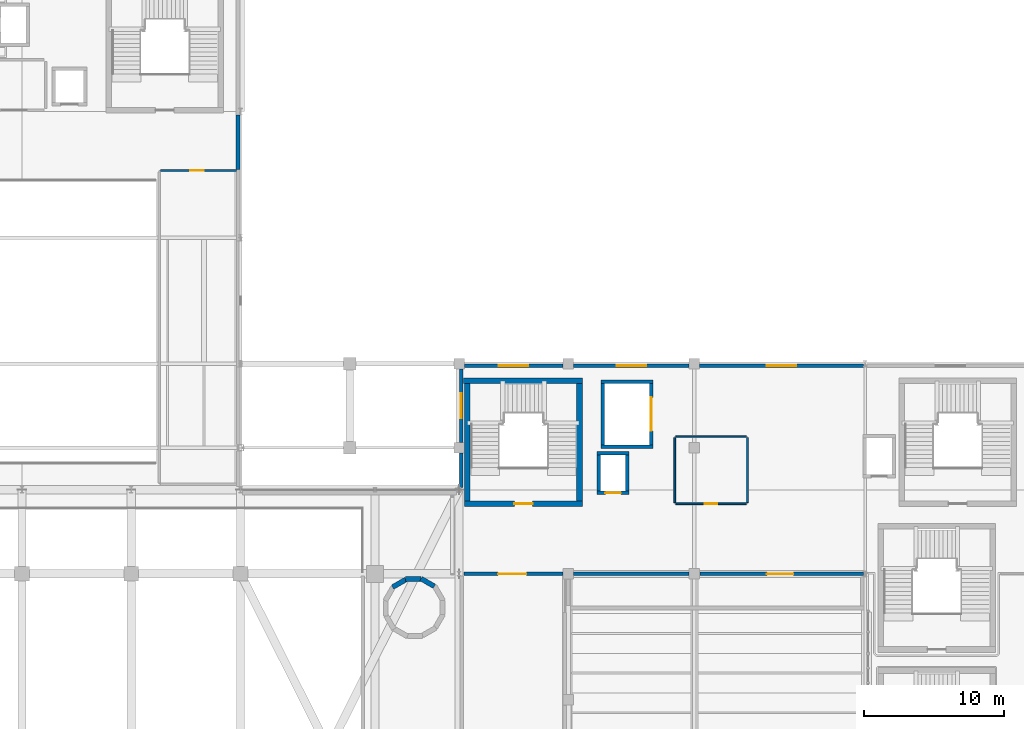
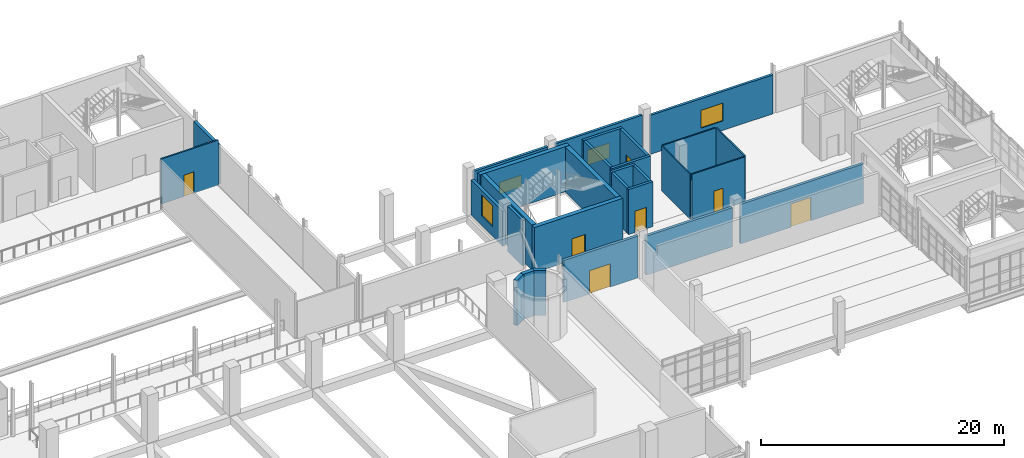
# One storey, part 89 of 100: 29 walls, 7 doors, 4 windows, 11 openings.
"""IFC4 building model written with IfcOpenShell, lengths in metres."""

from ifc_helpers import new_model, si_unit, derived_unit, direction, frame, frame_2d, origin, place, context, subcontext, project, spatial, rectangle, extrude, material, layer, layer_set, type_object, element, fill, save


model = new_model("IFC4")

# Units and contexts
model_context = context("Model", 3, precision=1e-05, world=origin(), true_north=direction((0.0, 1.0)))
body_context = subcontext(model_context, "Body", "Model", "MODEL_VIEW")
ifc_project = project(units=[si_unit("LENGTHUNIT", "METRE"), si_unit("AREAUNIT", "SQUARE_METRE"), si_unit("VOLUMEUNIT", "CUBIC_METRE"), si_unit("PLANEANGLEUNIT", "RADIAN"), si_unit("MASSUNIT", "GRAM", prefix="KILO"), derived_unit("THERMALTRANSMITTANCEUNIT", [(si_unit("POWERUNIT", "WATT"), 1), (si_unit("LENGTHUNIT", "METRE"), -2), (si_unit("THERMODYNAMICTEMPERATUREUNIT", "KELVIN"), -1)])], contexts=[model_context])

# Site, building, storey
site_placement = place(None, origin())
site = spatial("IfcSite", under=ifc_project, at=site_placement, CompositionType="ELEMENT")
building_placement = place(site_placement, origin())
building = spatial("IfcBuilding", under=site, at=building_placement, Name="Nallur Shell Playhouse", CompositionType="ELEMENT")
storey_placement = place(building_placement, frame((0.0, 0.0, 10.199951171875)))
storey = spatial("IfcBuildingStorey", under=building, at=storey_placement, Name="L03", CompositionType="ELEMENT", Elevation=10.199951171875)

# Wall, opening, door
ifc_material_1 = material(Name="Concrete M45", Category="concrete")
ifc_layer_1 = layer(ifc_material_1, 0.39990234375)
ifc_layer_set_1 = layer_set([ifc_layer_1], Name="Concrete M45")
wall_type_1 = type_object("IfcWallType", Name="WL-CORE-400", PredefinedType="SHEAR", material=ifc_layer_set_1)
wall_1_placement = place(storey_placement, frame((119.0, 46.0, 0.0), z_axis=(0.0, 0.0, 1.0), x_axis=(1.0, 0.0, 0.0)))
wall_1 = element("IfcWall", 1, at=wall_1_placement, inside=storey, type_object=wall_type_1, Name="Joint Core JC-2 shear wall S (L03)", PredefinedType="SHEAR", context=body_context, shape_type="SweptSolid", body=[
    extrude(rectangle(XDim=8.39990234375, YDim=0.39990234375, at=frame_2d((4.199951171875, 0.0))), origin(), (0.0, 0.0, 1.0), 4.5400390625),
])
opening_1_placement = place(wall_1_placement, frame((3.550048828125, 0.0, 0.0)))
opening_1 = element("IfcOpeningElement", 2, at=opening_1_placement, cuts=wall_1, Name="Opening FD-ST2", PredefinedType="OPENING", context=body_context, shape_type="SweptSolid", body=[
    extrude(rectangle(XDim=1.300048828125, YDim=2.14990234375, at=frame_2d((0.64990234375, 1.074951171875))), frame((0.0, 0.2099609375, 0.0), z_axis=(0.0, -1.0, 0.0), x_axis=(1.0, 0.0, 0.0)), (0.0, 0.0, 1.0), 0.419921875),
])
ifc_material_2 = material(Name="Galvanised Steel Fire-Rated Stair Door", Category="steel")
door_type_1 = type_object("IfcDoorType", Name="DR-INT-STAIR-R", OperationType="SINGLE_SWING_RIGHT", PredefinedType="DOOR", material=ifc_material_2)
door_1_placement = place(opening_1_placement, origin())
door_1 = element("IfcDoor", 3, at=door_1_placement, inside=storey, type_object=door_type_1, Name="Exit stair ST-02 fire door (L03)", OperationType="SINGLE_SWING_RIGHT", OverallHeight=2.14990234375, OverallWidth=1.300048828125, PredefinedType="DOOR", context=body_context, shape_type="SweptSolid", body=[
    extrude(rectangle(XDim=1.300048828125, YDim=2.14990234375, at=frame_2d((0.64990234375, 1.074951171875))), frame((0.0, 0.02490234375, 0.0), z_axis=(0.0, -1.0, 0.0), x_axis=(1.0, 0.0, 0.0)), (0.0, 0.0, 1.0), 0.050048828125),
])
fill(opening_1, door_1)

# Walls
wall_2_placement = place(storey_placement, frame((127.39990234375, 54.800048828125, 0.0), z_axis=(0.0, 0.0, 1.0), x_axis=(-1.0, 0.0, 0.0)))
element("IfcWall", 4, at=wall_2_placement, inside=storey, type_object=wall_type_1, Name="Joint Core JC-2 shear wall N (L03)", PredefinedType="SHEAR", context=body_context, shape_type="SweptSolid", body=[
    extrude(rectangle(XDim=8.495849609375, YDim=0.39990234375, at=frame_2d((4.248046875, 0.0))), origin(), (0.0, 0.0, 1.0), 4.5400390625),
])
for number, where, z_axis, x_axis, name in (
    (5, (127.199951171875, 46.2099609375, 0.0), (0.0, 0.0, 1.0), (0.0, 1.0, 0.0), "Joint Core JC-2 shear wall E (L03)"),
    (6, (119.199951171875, 54.590087890625, 0.0), (0.0, 0.0, 1.0), (0.0, -1.0, 0.0), "Joint Core JC-2 shear wall W (L03)"),
):
    element("IfcWall", number, at=place(storey_placement, frame(where, z_axis=z_axis, x_axis=x_axis)), inside=storey, type_object=wall_type_1, Name=name, PredefinedType="SHEAR", context=body_context, shape_type="SweptSolid", body=[
        extrude(rectangle(XDim=8.380126953125, YDim=0.39990234375, at=frame_2d((4.18994140625, 0.0))), origin(), (0.0, 0.0, 1.0), 4.5400390625),
    ])
for number, where, z_axis, x_axis, name in (
    (7, (116.8330078125, 40.114990234375, 0.0), (0.0, 0.0, 1.0), (-0.866062834654, 0.499935162227, 0.0), "Metabolist service drum DR-2 facet 2 (L03)"),
    (8, (115.883544921875, 40.62841796875, 0.0), (0.0, 0.0, 1.0), (-1.0, 0.0, 0.0), "Metabolist service drum DR-2 facet 3 (L03)"),
    (9, (114.804443359375, 40.598388671875, 0.0), (0.0, 0.0, 1.0), (-0.866062834654, -0.499935162227, 0.0), "Metabolist service drum DR-2 facet 4 (L03)"),
):
    element("IfcWall", number, at=place(storey_placement, frame(where, z_axis=z_axis, x_axis=x_axis)), inside=storey, type_object=wall_type_1, Name=name, PredefinedType="SHEAR", context=body_context, shape_type="SweptSolid", body=[
        extrude(rectangle(XDim=1.093017578125, YDim=0.35009765625, at=frame_2d((0.54638671875, 0.0))), origin(), (0.0, 0.0, 1.0), 4.5400390625),
    ])

# Wall, opening, window
ifc_material_3 = material(Name="Precast concrete M40", Category="concrete")
ifc_layer_2 = layer(ifc_material_3, 0.239990234375)
ifc_layer_set_2 = layer_set([ifc_layer_2], Name="Precast concrete M40")
wall_type_2 = type_object("IfcWallType", Name="WL-EXT-CLAD240", PredefinedType="ELEMENTEDWALL", material=ifc_layer_set_2)
wall_3_placement = place(storey_placement, frame((118.98291015625, 55.860107421875, 0.0), z_axis=(0.0, 0.0, 1.0), x_axis=(1.0, 0.0, 0.0)))
wall_3 = element("IfcWall", 10, at=wall_3_placement, inside=storey, type_object=wall_type_2, Name="L03 exterior wall EW-L03-147", PredefinedType="ELEMENTEDWALL", context=body_context, shape_type="SweptSolid", body=[
    extrude(rectangle(XDim=7.0341796875, YDim=0.239990234375, at=frame_2d((3.51708984375, 0.0))), origin(), (0.0, 0.0, 1.0), 4.175048828125),
])
opening_2_placement = place(wall_3_placement, frame((2.467041015625, 0.0, 0.949951171875)))
opening_2 = element("IfcOpeningElement", 11, at=opening_2_placement, cuts=wall_3, Name="Opening WN-25", PredefinedType="OPENING", context=body_context, shape_type="SweptSolid", body=[
    extrude(rectangle(XDim=2.10009765625, YDim=1.199951171875, at=frame_2d((1.050048828125, 0.60009765625))), frame((0.0, 0.1298828125, 0.0), z_axis=(0.0, -1.0, 0.0), x_axis=(1.0, 0.0, 0.0)), (0.0, 0.0, 1.0), 0.260009765625),
])
ifc_material_4 = material(Name="Thermally Broken Aluminium Acoustic Double-Glazed Window", Category="aluminium")
window_type_1 = type_object("IfcWindowType", Name="WN-TYPE-25", PartitioningType="SINGLE_PANEL", PredefinedType="LIGHTDOME", material=ifc_material_4)
window_1_placement = place(opening_2_placement, origin())
window_1 = element("IfcWindow", 12, at=window_1_placement, inside=storey, type_object=window_type_1, Name="L03 facade module window 057", OverallHeight=1.199951171875, OverallWidth=2.10009765625, PartitioningType="SINGLE_PANEL", PredefinedType="LIGHTDOME", context=body_context, shape_type="SweptSolid", body=[
    extrude(rectangle(XDim=2.10009765625, YDim=1.199951171875, at=frame_2d((1.050048828125, 0.60009765625))), frame((0.0, 0.030029296875, 0.0), z_axis=(0.0, -1.0, 0.0), x_axis=(1.0, 0.0, 0.0)), (0.0, 0.0, 1.0), 0.06005859375),
])
fill(opening_2, window_1)

wall_4_placement = place(storey_placement, frame((126.782958984375, 55.860107421875, 0.0), z_axis=(0.0, 0.0, 1.0), x_axis=(1.0, 0.0, 0.0)))
wall_4 = element("IfcWall", 13, at=wall_4_placement, inside=storey, type_object=wall_type_2, Name="L03 exterior wall EW-L03-148", PredefinedType="ELEMENTEDWALL", context=body_context, shape_type="SweptSolid", body=[
    extrude(rectangle(XDim=8.234130859375, YDim=0.239990234375, at=frame_2d((4.1171875, 0.0))), origin(), (0.0, 0.0, 1.0), 4.22509765625),
])
opening_3_placement = place(wall_4_placement, frame((3.06689453125, 0.0, 0.949951171875)))
opening_3 = element("IfcOpeningElement", 14, at=opening_3_placement, cuts=wall_4, Name="Opening WN-26", PredefinedType="OPENING", context=body_context, shape_type="SweptSolid", body=[
    extrude(rectangle(XDim=2.10009765625, YDim=1.5, at=frame_2d((1.050048828125, 0.75))), frame((0.0, 0.1298828125, 0.0), z_axis=(0.0, -1.0, 0.0), x_axis=(1.0, 0.0, 0.0)), (0.0, 0.0, 1.0), 0.260009765625),
])
window_type_2 = type_object("IfcWindowType", Name="WN-TYPE-26", PartitioningType="SINGLE_PANEL", PredefinedType="LIGHTDOME", material=ifc_material_4)
window_2_placement = place(opening_3_placement, origin())
window_2 = element("IfcWindow", 15, at=window_2_placement, inside=storey, type_object=window_type_2, Name="L03 facade module window 058", OverallHeight=1.5, OverallWidth=2.10009765625, PartitioningType="SINGLE_PANEL", PredefinedType="LIGHTDOME", context=body_context, shape_type="SweptSolid", body=[
    extrude(rectangle(XDim=2.10009765625, YDim=1.5, at=frame_2d((1.050048828125, 0.75))), frame((0.0, 0.030029296875, 0.0), z_axis=(0.0, -1.0, 0.0), x_axis=(1.0, 0.0, 0.0)), (0.0, 0.0, 1.0), 0.06005859375),
])
fill(opening_3, window_2)

wall_5_placement = place(storey_placement, frame((135.782958984375, 55.860107421875, 0.0), z_axis=(0.0, 0.0, 1.0), x_axis=(1.0, 0.0, 0.0)))
wall_5 = element("IfcWall", 16, at=wall_5_placement, inside=storey, type_object=wall_type_2, Name="L03 exterior wall EW-L03-149", PredefinedType="ELEMENTEDWALL", context=body_context, shape_type="SweptSolid", body=[
    extrude(rectangle(XDim=11.68408203125, YDim=0.239990234375, at=frame_2d((5.842041015625, 0.0))), origin(), (0.0, 0.0, 1.0), 3.925048828125),
])
opening_4_placement = place(wall_5_placement, frame((4.7919921875, 0.0, 0.949951171875)))
opening_4 = element("IfcOpeningElement", 17, at=opening_4_placement, cuts=wall_5, Name="Opening WN-27", PredefinedType="OPENING", context=body_context, shape_type="SweptSolid", body=[
    extrude(rectangle(XDim=2.10009765625, YDim=1.800048828125, at=frame_2d((1.050048828125, 0.89990234375))), frame((0.0, 0.1298828125, 0.0), z_axis=(0.0, -1.0, 0.0), x_axis=(1.0, 0.0, 0.0)), (0.0, 0.0, 1.0), 0.260009765625),
])
window_type_3 = type_object("IfcWindowType", Name="WN-TYPE-27", PartitioningType="SINGLE_PANEL", PredefinedType="LIGHTDOME", material=ifc_material_4)
window_3_placement = place(opening_4_placement, origin())
window_3 = element("IfcWindow", 18, at=window_3_placement, inside=storey, type_object=window_type_3, Name="L03 facade module window 059", OverallHeight=1.800048828125, OverallWidth=2.10009765625, PartitioningType="SINGLE_PANEL", PredefinedType="LIGHTDOME", context=body_context, shape_type="SweptSolid", body=[
    extrude(rectangle(XDim=2.10009765625, YDim=1.800048828125, at=frame_2d((1.050048828125, 0.89990234375))), frame((0.0, 0.030029296875, 0.0), z_axis=(0.0, -1.0, 0.0), x_axis=(1.0, 0.0, 0.0)), (0.0, 0.0, 1.0), 0.06005859375),
])
fill(opening_4, window_3)

# Wall
ifc_material_5 = material(Name="Concrete M30", Category="concrete")
ifc_layer_3 = layer(ifc_material_5, 0.280029296875)
ifc_layer_set_3 = layer_set([ifc_layer_3], Name="Concrete M30")
wall_type_3 = type_object("IfcWallType", Name="WL-EXT-INS280", PredefinedType="STANDARD", material=ifc_layer_set_3)
wall_6_placement = place(storey_placement, frame((118.760009765625, 47.14990234375, 0.0), z_axis=(0.0, 0.0, 1.0), x_axis=(0.0, 1.0, 0.0)))
element("IfcWall", 19, at=wall_6_placement, inside=storey, type_object=wall_type_3, Name="L03 exterior wall EW-L03-145", PredefinedType="STANDARD", context=body_context, shape_type="SweptSolid", body=[
    extrude(rectangle(XDim=2.467041015625, YDim=0.280029296875, at=frame_2d((1.2333984375, 0.0))), origin(), (0.0, 0.0, 1.0), 4.5400390625),
])

# Wall, opening, window
wall_7_placement = place(storey_placement, frame((118.760009765625, 50.383056640625, 0.0), z_axis=(0.0, 0.0, 1.0), x_axis=(0.0, 1.0, 0.0)))
wall_7 = element("IfcWall", 20, at=wall_7_placement, inside=storey, type_object=wall_type_3, Name="L03 exterior wall EW-L03-146", PredefinedType="STANDARD", context=body_context, shape_type="SweptSolid", body=[
    extrude(rectangle(XDim=5.23388671875, YDim=0.280029296875, at=frame_2d((2.616943359375, 0.0))), origin(), (0.0, 0.0, 1.0), 3.525146484375),
])
opening_5_placement = place(wall_7_placement, frame((1.717041015625, 0.0, 0.949951171875)))
opening_5 = element("IfcOpeningElement", 21, at=opening_5_placement, cuts=wall_7, Name="Opening WN-24", PredefinedType="OPENING", context=body_context, shape_type="SweptSolid", body=[
    extrude(rectangle(XDim=1.800048828125, YDim=2.10009765625, at=frame_2d((0.89990234375, 1.050048828125))), frame((0.0, 0.14990234375, 0.0), z_axis=(0.0, -1.0, 0.0), x_axis=(1.0, 0.0, 0.0)), (0.0, 0.0, 1.0), 0.300048828125),
])
window_type_4 = type_object("IfcWindowType", Name="WN-TYPE-24", PartitioningType="SINGLE_PANEL", PredefinedType="WINDOW", material=ifc_material_4)
window_4_placement = place(opening_5_placement, origin())
window_4 = element("IfcWindow", 22, at=window_4_placement, inside=storey, type_object=window_type_4, Name="L03 facade module window 056", OverallHeight=2.10009765625, OverallWidth=1.800048828125, PartitioningType="SINGLE_PANEL", PredefinedType="WINDOW", context=body_context, shape_type="SweptSolid", body=[
    extrude(rectangle(XDim=1.800048828125, YDim=2.10009765625, at=frame_2d((0.89990234375, 1.050048828125))), frame((0.0, 0.030029296875, 0.0), z_axis=(0.0, -1.0, 0.0), x_axis=(1.0, 0.0, 0.0)), (0.0, 0.0, 1.0), 0.06005859375),
])
fill(opening_5, window_4)

# Wall
ifc_material_6 = material(Name="Concrete M35", Category="concrete")
ifc_layer_4 = layer(ifc_material_6, 0.300048828125)
ifc_layer_set_4 = layer_set([ifc_layer_4], Name="Concrete M35")
wall_type_4 = type_object("IfcWallType", Name="WL-EXT-RC300", PredefinedType="STANDARD", material=ifc_layer_set_4)
wall_8_placement = place(storey_placement, frame((102.830078125, 73.76708984375, 0.0), z_axis=(0.0, 0.0, 1.0), x_axis=(0.0, -1.0, 0.0)))
element("IfcWall", 23, at=wall_8_placement, inside=storey, type_object=wall_type_4, Name="L03 exterior wall EW-L03-139", PredefinedType="STANDARD", context=body_context, shape_type="SweptSolid", body=[
    extrude(rectangle(XDim=3.903076171875, YDim=0.300048828125, at=frame_2d((1.95166015625, 0.0))), origin(), (0.0, 0.0, 1.0), 3.97509765625),
])

# Wall, opening, door
ifc_layer_5 = layer(ifc_material_5, 0.25)
ifc_layer_set_5 = layer_set([ifc_layer_5], Name="Concrete M30")
wall_type_5 = type_object("IfcWallType", Name="WL-PART-AC250", PredefinedType="PARTITIONING", material=ifc_layer_set_5)
wall_9_placement = place(storey_placement, frame((118.945068359375, 41.0, 0.0), z_axis=(0.0, 0.0, 1.0), x_axis=(1.0, 0.0, 0.0)))
wall_9 = element("IfcWall", 24, at=wall_9_placement, inside=storey, type_object=wall_type_5, Name="260-Seat Courtyard Studio Theatre Auditorium partition IW-L03-0210", PredefinedType="PARTITIONING", context=body_context, shape_type="SweptSolid", body=[
    extrude(rectangle(XDim=7.075927734375, YDim=0.25, at=frame_2d((3.5380859375, 0.0))), origin(), (0.0, 0.0, 1.0), 4.219970703125),
])
opening_6_placement = place(wall_9_placement, frame((2.455078125, 0.0, 0.0)))
opening_6 = element("IfcOpeningElement", 25, at=opening_6_placement, cuts=wall_9, Name="Opening AD-01", PredefinedType="OPENING", context=body_context, shape_type="SweptSolid", body=[
    extrude(rectangle(XDim=2.0, YDim=2.35009765625, at=frame_2d((1.0, 1.175048828125))), frame((0.0, 0.135009765625, 0.0), z_axis=(0.0, -1.0, 0.0), x_axis=(1.0, 0.0, 0.0)), (0.0, 0.0, 1.0), 0.27001953125),
])
ifc_material_7 = material(Name="Acoustic Timber Sound-Lock Double Door", Category="wood")
door_type_2 = type_object("IfcDoorType", Name="DR-INT-AUD-DBL", OperationType="DOUBLE_SWING_LEFT", PredefinedType="DOOR", material=ifc_material_7)
door_2_placement = place(opening_6_placement, origin())
door_2 = element("IfcDoor", 26, at=door_2_placement, inside=storey, type_object=door_type_2, Name="260-Seat Courtyard Studio Theatre Auditorium vomitory door 1", OperationType="DOUBLE_SWING_LEFT", OverallHeight=2.35009765625, OverallWidth=2.0, PredefinedType="DOOR", context=body_context, shape_type="SweptSolid", body=[
    extrude(rectangle(XDim=2.0, YDim=2.35009765625, at=frame_2d((1.0, 1.175048828125))), frame((0.0, 0.02490234375, 0.0), z_axis=(0.0, -1.0, 0.0), x_axis=(1.0, 0.0, 0.0)), (0.0, 0.0, 1.0), 0.050048828125),
])
fill(opening_6, door_2)

# Wall
wall_10_placement = place(storey_placement, frame((126.7900390625, 41.0, 0.0), z_axis=(0.0, 0.0, 1.0), x_axis=(1.0, 0.0, 0.0)))
element("IfcWall", 27, at=wall_10_placement, inside=storey, type_object=wall_type_5, Name="Studio Theatre Stage & Wing Deck partition IW-L03-0212", PredefinedType="PARTITIONING", context=body_context, shape_type="SweptSolid", body=[
    extrude(rectangle(XDim=8.219970703125, YDim=0.25, at=frame_2d((4.10986328125, 0.0))), origin(), (0.0, 0.0, 1.0), 3.920166015625),
])

# Wall, opening, door
wall_11_placement = place(storey_placement, frame((135.7900390625, 41.0, 0.0), z_axis=(0.0, 0.0, 1.0), x_axis=(1.0, 0.0, 0.0)))
wall_11 = element("IfcWall", 28, at=wall_11_placement, inside=storey, type_object=wall_type_5, Name="Studio Theatre Stage & Wing Deck partition IW-L03-0213", PredefinedType="PARTITIONING", context=body_context, shape_type="SweptSolid", body=[
    extrude(rectangle(XDim=11.680908203125, YDim=0.25, at=frame_2d((5.84033203125, 0.0))), origin(), (0.0, 0.0, 1.0), 3.969970703125),
])
opening_7_placement = place(wall_11_placement, frame((4.782958984375, 0.0, 0.0)))
opening_7 = element("IfcOpeningElement", 29, at=opening_7_placement, cuts=wall_11, Name="Opening AD-02", PredefinedType="OPENING", context=body_context, shape_type="SweptSolid", body=[
    extrude(rectangle(XDim=1.89990234375, YDim=2.35009765625, at=frame_2d((0.949951171875, 1.175048828125))), frame((0.0, 0.135009765625, 0.0), z_axis=(0.0, -1.0, 0.0), x_axis=(1.0, 0.0, 0.0)), (0.0, 0.0, 1.0), 0.27001953125),
])
door_type_3 = type_object("IfcDoorType", Name="DR-INT-AUD-DBR", OperationType="DOUBLE_SWING_RIGHT", PredefinedType="DOOR", material=ifc_material_7)
door_3_placement = place(opening_7_placement, origin())
door_3 = element("IfcDoor", 30, at=door_3_placement, inside=storey, type_object=door_type_3, Name="Studio Theatre Stage & Wing Deck door 1", OperationType="DOUBLE_SWING_RIGHT", OverallHeight=2.35009765625, OverallWidth=1.89990234375, PredefinedType="DOOR", context=body_context, shape_type="SweptSolid", body=[
    extrude(rectangle(XDim=1.89990234375, YDim=2.35009765625, at=frame_2d((0.949951171875, 1.175048828125))), frame((0.0, 0.02490234375, 0.0), z_axis=(0.0, -1.0, 0.0), x_axis=(1.0, 0.0, 0.0)), (0.0, 0.0, 1.0), 0.050048828125),
])
fill(opening_7, door_3)

ifc_material_8 = material(Name="Concrete M25 Fire Blockwork", Category="masonry")
ifc_layer_6 = layer(ifc_material_8, 0.14990234375)
ifc_layer_set_6 = layer_set([ifc_layer_6], Name="Concrete M25 Fire Blockwork")
wall_type_6 = type_object("IfcWallType", Name="WL-PART-FR150", PredefinedType="PARTITIONING", material=ifc_layer_set_6)
wall_12_placement = place(storey_placement, frame((97.294921875, 69.800048828125, 0.0), z_axis=(0.0, 0.0, 1.0), x_axis=(1.0, 0.0, 0.0)))
wall_12 = element("IfcWall", 31, at=wall_12_placement, inside=storey, type_object=wall_type_6, Name="Stage East Pin-Rail & Lighting Gallery partition IW-L03-0250", PredefinedType="PARTITIONING", context=body_context, shape_type="SweptSolid", body=[
    extrude(rectangle(XDim=5.421142578125, YDim=0.14990234375, at=frame_2d((2.71044921875, 0.0))), origin(), (0.0, 0.0, 1.0), 4.530029296875),
])
opening_8_placement = place(wall_12_placement, frame((2.1298828125, 0.0, 0.0)))
opening_8 = element("IfcOpeningElement", 32, at=opening_8_placement, cuts=wall_12, Name="Opening ID-03", PredefinedType="OPENING", context=body_context, shape_type="SweptSolid", body=[
    extrude(rectangle(XDim=0.949951171875, YDim=2.14990234375, at=frame_2d((0.47509765625, 1.074951171875))), frame((0.0, 0.0849609375, 0.0), z_axis=(0.0, -1.0, 0.0), x_axis=(1.0, 0.0, 0.0)), (0.0, 0.0, 1.0), 0.169921875),
])
ifc_material_9 = material(Name="Solid-Core Engineered Timber Door", Category="wood")
door_type_4 = type_object("IfcDoorType", Name="DR-INT-SGL950L", OperationType="SINGLE_SWING_LEFT", PredefinedType="DOOR", material=ifc_material_9)
door_4_placement = place(opening_8_placement, origin())
door_4 = element("IfcDoor", 33, at=door_4_placement, inside=storey, type_object=door_type_4, Name="Stage East Pin-Rail & Lighting Gallery door 1", OperationType="SINGLE_SWING_LEFT", OverallHeight=2.14990234375, OverallWidth=0.949951171875, PredefinedType="DOOR", context=body_context, shape_type="SweptSolid", body=[
    extrude(rectangle(XDim=0.949951171875, YDim=2.14990234375, at=frame_2d((0.47509765625, 1.074951171875))), frame((0.0, 0.02490234375, 0.0), z_axis=(0.0, -1.0, 0.0), x_axis=(1.0, 0.0, 0.0)), (0.0, 0.0, 1.0), 0.050048828125),
])
fill(opening_8, door_4)

# Walls
ifc_layer_7 = layer(ifc_material_8, 0.1201171875)
ifc_layer_set_7 = layer_set([ifc_layer_7], Name="Concrete M25 Fire Blockwork")
wall_type_7 = type_object("IfcWallType", Name="WL-PART-WET120", PredefinedType="PARTITIONING", material=ifc_layer_set_7)
wall_13_placement = place(storey_placement, frame((134.080078125, 50.800048828125, 0.0), z_axis=(0.0, 0.0, 1.0), x_axis=(1.0, 0.0, 0.0)))
element("IfcWall", 34, at=wall_13_placement, inside=storey, type_object=wall_type_7, Name="Dress Circle Accessible Restroom partition IW-L03-0267", PredefinedType="PARTITIONING", context=body_context, shape_type="SweptSolid", body=[
    extrude(rectangle(XDim=5.0400390625, YDim=0.1201171875, at=frame_2d((2.52001953125, 0.0))), origin(), (0.0, 0.0, 1.0), 4.530029296875),
])
wall_14_placement = place(storey_placement, frame((139.199951171875, 50.719970703125, 0.0), z_axis=(0.0, 0.0, 1.0), x_axis=(0.0, -1.0, 0.0)))
element("IfcWall", 35, at=wall_14_placement, inside=storey, type_object=wall_type_7, Name="Dress Circle Accessible Restroom partition IW-L03-0268", PredefinedType="PARTITIONING", context=body_context, shape_type="SweptSolid", body=[
    extrude(rectangle(XDim=4.639892578125, YDim=0.1201171875, at=frame_2d((2.31982421875, 0.0))), origin(), (0.0, 0.0, 1.0), 4.530029296875),
])

# Wall, opening, door
wall_15_placement = place(storey_placement, frame((139.1201171875, 46.0, 0.0), z_axis=(0.0, 0.0, 1.0), x_axis=(-1.0, 0.0, 0.0)))
wall_15 = element("IfcWall", 36, at=wall_15_placement, inside=storey, type_object=wall_type_7, Name="Dress Circle Accessible Restroom partition IW-L03-0269", PredefinedType="PARTITIONING", context=body_context, shape_type="SweptSolid", body=[
    extrude(rectangle(XDim=5.0400390625, YDim=0.1201171875, at=frame_2d((2.52001953125, 0.0))), origin(), (0.0, 0.0, 1.0), 4.530029296875),
])
opening_9_placement = place(wall_15_placement, frame((2.080078125, 0.0, 0.0)))
opening_9 = element("IfcOpeningElement", 37, at=opening_9_placement, cuts=wall_15, Name="Opening WD-02", PredefinedType="OPENING", context=body_context, shape_type="SweptSolid", body=[
    extrude(rectangle(XDim=0.8798828125, YDim=2.10009765625, at=frame_2d((0.43994140625, 1.050048828125))), frame((0.0, 0.070068359375, 0.0), z_axis=(0.0, -1.0, 0.0), x_axis=(1.0, 0.0, 0.0)), (0.0, 0.0, 1.0), 0.14013671875),
])
ifc_material_10 = material(Name="Moisture-Resistant Laminate Restroom Door")
door_type_5 = type_object("IfcDoorType", Name="DR-INT-WC880R", OperationType="SINGLE_SWING_RIGHT", PredefinedType="DOOR", material=ifc_material_10)
door_5_placement = place(opening_9_placement, origin())
door_5 = element("IfcDoor", 38, at=door_5_placement, inside=storey, type_object=door_type_5, Name="Dress Circle Accessible Restroom door 1", OperationType="SINGLE_SWING_RIGHT", OverallHeight=2.10009765625, OverallWidth=0.8798828125, PredefinedType="DOOR", context=body_context, shape_type="SweptSolid", body=[
    extrude(rectangle(XDim=0.8798828125, YDim=2.10009765625, at=frame_2d((0.43994140625, 1.050048828125))), frame((0.0, 0.02490234375, 0.0), z_axis=(0.0, -1.0, 0.0), x_axis=(1.0, 0.0, 0.0)), (0.0, 0.0, 1.0), 0.050048828125),
])
fill(opening_9, door_5)

# Wall
wall_16_placement = place(storey_placement, frame((134.0, 46.080078125, 0.0), z_axis=(0.0, 0.0, 1.0), x_axis=(0.0, 1.0, 0.0)))
element("IfcWall", 39, at=wall_16_placement, inside=storey, type_object=wall_type_7, Name="Dress Circle Accessible Restroom partition IW-L03-0270", PredefinedType="PARTITIONING", context=body_context, shape_type="SweptSolid", body=[
    extrude(rectangle(XDim=4.639892578125, YDim=0.1201171875, at=frame_2d((2.31982421875, 0.0))), origin(), (0.0, 0.0, 1.0), 4.530029296875),
])

# Wall, opening, door
ifc_layer_8 = layer(ifc_material_1, 0.25)
ifc_layer_set_8 = layer_set([ifc_layer_8], Name="Concrete M45")
wall_type_8 = type_object("IfcWallType", Name="WL-SHAFT-250", PredefinedType="STANDARD", material=ifc_layer_set_8)
wall_17_placement = place(storey_placement, frame((128.449951171875, 46.77490234375, 0.0), z_axis=(0.0, 0.0, 1.0), x_axis=(1.0, 0.0, 0.0)))
wall_17 = element("IfcWall", 40, at=wall_17_placement, inside=storey, type_object=wall_type_8, Name="Passenger Lift PL-2 shaft wall south (L03)", PredefinedType="STANDARD", context=body_context, shape_type="SweptSolid", body=[
    extrude(rectangle(XDim=2.300048828125, YDim=0.25, at=frame_2d((1.14990234375, 0.0))), origin(), (0.0, 0.0, 1.0), 4.530029296875),
])
opening_10_placement = place(wall_17_placement, frame((0.60009765625, 0.0, 0.0)))
opening_10 = element("IfcOpeningElement", 41, at=opening_10_placement, cuts=wall_17, Name="Opening LD-P1", PredefinedType="OPENING", context=body_context, shape_type="SweptSolid", body=[
    extrude(rectangle(XDim=1.10009765625, YDim=2.14990234375, at=frame_2d((0.550048828125, 1.074951171875))), frame((0.0, 0.135009765625, 0.0), z_axis=(0.0, -1.0, 0.0), x_axis=(1.0, 0.0, 0.0)), (0.0, 0.0, 1.0), 0.27001953125),
])
ifc_material_11 = material(Name="Brushed Stainless Steel Lift Landing Door", Category="steel")
door_type_6 = type_object("IfcDoorType", Name="DR-LIFT-PASS", OperationType="DOUBLE_DOOR_SLIDING", PredefinedType="DOOR", material=ifc_material_11)
door_6_placement = place(opening_10_placement, origin())
door_6 = element("IfcDoor", 42, at=door_6_placement, inside=storey, type_object=door_type_6, Name="Passenger Lift PL-2 sliding landing door (L03)", OperationType="DOUBLE_DOOR_SLIDING", OverallHeight=2.14990234375, OverallWidth=1.10009765625, PredefinedType="DOOR", context=body_context, shape_type="SweptSolid", body=[
    extrude(rectangle(XDim=1.10009765625, YDim=2.14990234375, at=frame_2d((0.550048828125, 1.074951171875))), frame((0.0, 0.02490234375, 0.0), z_axis=(0.0, -1.0, 0.0), x_axis=(1.0, 0.0, 0.0)), (0.0, 0.0, 1.0), 0.050048828125),
])
fill(opening_10, door_6)

# Walls
wall_18_placement = place(storey_placement, frame((130.75, 49.625, 0.0), z_axis=(0.0, 0.0, 1.0), x_axis=(-1.0, 0.0, 0.0)))
element("IfcWall", 43, at=wall_18_placement, inside=storey, type_object=wall_type_8, Name="Passenger Lift PL-2 shaft wall north (L03)", PredefinedType="STANDARD", context=body_context, shape_type="SweptSolid", body=[
    extrude(rectangle(XDim=2.300048828125, YDim=0.25, at=frame_2d((1.14990234375, 0.0))), origin(), (0.0, 0.0, 1.0), 4.530029296875),
])
for number, where, z_axis, x_axis, name in (
    (44, (130.625, 46.909912109375, 0.0), (0.0, 0.0, 1.0), (0.0, 1.0, 0.0), "Passenger Lift PL-2 shaft wall east (L03)"),
    (45, (128.574951171875, 49.489990234375, 0.0), (0.0, 0.0, 1.0), (0.0, -1.0, 0.0), "Passenger Lift PL-2 shaft wall west (L03)"),
):
    element("IfcWall", number, at=place(storey_placement, frame(where, z_axis=z_axis, x_axis=x_axis)), inside=storey, type_object=wall_type_8, Name=name, PredefinedType="STANDARD", context=body_context, shape_type="SweptSolid", body=[
        extrude(rectangle(XDim=2.580078125, YDim=0.25, at=frame_2d((1.2900390625, 0.0))), origin(), (0.0, 0.0, 1.0), 4.530029296875),
    ])
for number, where, z_axis, x_axis, name in (
    (46, (128.75, 50.074951171875, 0.0), (0.0, 0.0, 1.0), (1.0, 0.0, 0.0), "Stage Service Lift SL-2 shaft wall south (L03)"),
    (47, (132.449951171875, 54.72509765625, 0.0), (0.0, 0.0, 1.0), (-1.0, 0.0, 0.0), "Stage Service Lift SL-2 shaft wall north (L03)"),
):
    element("IfcWall", number, at=place(storey_placement, frame(where, z_axis=z_axis, x_axis=x_axis)), inside=storey, type_object=wall_type_8, Name=name, PredefinedType="STANDARD", context=body_context, shape_type="SweptSolid", body=[
        extrude(rectangle(XDim=3.699951171875, YDim=0.25, at=frame_2d((1.85009765625, 0.0))), origin(), (0.0, 0.0, 1.0), 4.530029296875),
    ])

# Wall, opening, door
wall_19_placement = place(storey_placement, frame((132.324951171875, 50.2099609375, 0.0), z_axis=(0.0, 0.0, 1.0), x_axis=(0.0, 1.0, 0.0)))
wall_19 = element("IfcWall", 48, at=wall_19_placement, inside=storey, type_object=wall_type_8, Name="Stage Service Lift SL-2 shaft wall east (L03)", PredefinedType="STANDARD", context=body_context, shape_type="SweptSolid", body=[
    extrude(rectangle(XDim=4.380126953125, YDim=0.25, at=frame_2d((2.18994140625, 0.0))), origin(), (0.0, 0.0, 1.0), 4.530029296875),
])
opening_11_placement = place(wall_19_placement, frame((0.989990234375, 0.0, 0.0)))
opening_11 = element("IfcOpeningElement", 49, at=opening_11_placement, cuts=wall_19, Name="Opening LD-S1", PredefinedType="OPENING", context=body_context, shape_type="SweptSolid", body=[
    extrude(rectangle(XDim=2.39990234375, YDim=2.550048828125, at=frame_2d((1.199951171875, 1.27490234375))), frame((0.0, 0.135009765625, 0.0), z_axis=(0.0, -1.0, 0.0), x_axis=(1.0, 0.0, 0.0)), (0.0, 0.0, 1.0), 0.27001953125),
])
ifc_material_12 = material(Name="Scenery Freight Lift Bi-Parting Landing Door")
door_type_7 = type_object("IfcDoorType", Name="DR-LIFT-SCEN", OperationType="DOUBLE_DOOR_SLIDING", PredefinedType="DOOR", material=ifc_material_12)
door_7_placement = place(opening_11_placement, origin())
door_7 = element("IfcDoor", 50, at=door_7_placement, inside=storey, type_object=door_type_7, Name="Stage Service Lift SL-2 sliding landing door (L03)", OperationType="DOUBLE_DOOR_SLIDING", OverallHeight=2.550048828125, OverallWidth=2.39990234375, PredefinedType="DOOR", context=body_context, shape_type="SweptSolid", body=[
    extrude(rectangle(XDim=2.39990234375, YDim=2.550048828125, at=frame_2d((1.199951171875, 1.27490234375))), frame((0.0, 0.02490234375, 0.0), z_axis=(0.0, -1.0, 0.0), x_axis=(1.0, 0.0, 0.0)), (0.0, 0.0, 1.0), 0.050048828125),
])
fill(opening_11, door_7)

# Wall
wall_20_placement = place(storey_placement, frame((128.875, 54.590087890625, 0.0), z_axis=(0.0, 0.0, 1.0), x_axis=(0.0, -1.0, 0.0)))
element("IfcWall", 51, at=wall_20_placement, inside=storey, type_object=wall_type_8, Name="Stage Service Lift SL-2 shaft wall west (L03)", PredefinedType="STANDARD", context=body_context, shape_type="SweptSolid", body=[
    extrude(rectangle(XDim=4.380126953125, YDim=0.25, at=frame_2d((2.18994140625, 0.0))), origin(), (0.0, 0.0, 1.0), 4.530029296875),
])

save(model, "model.ifc")
